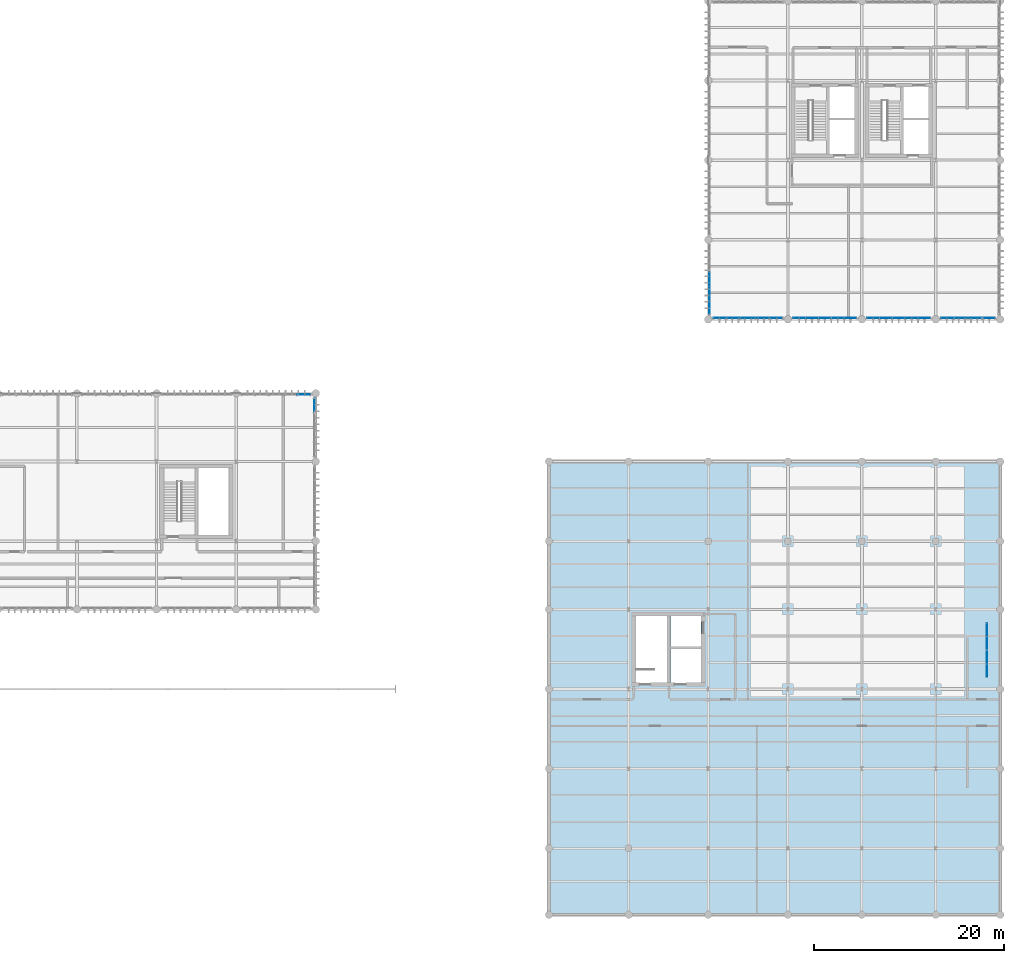
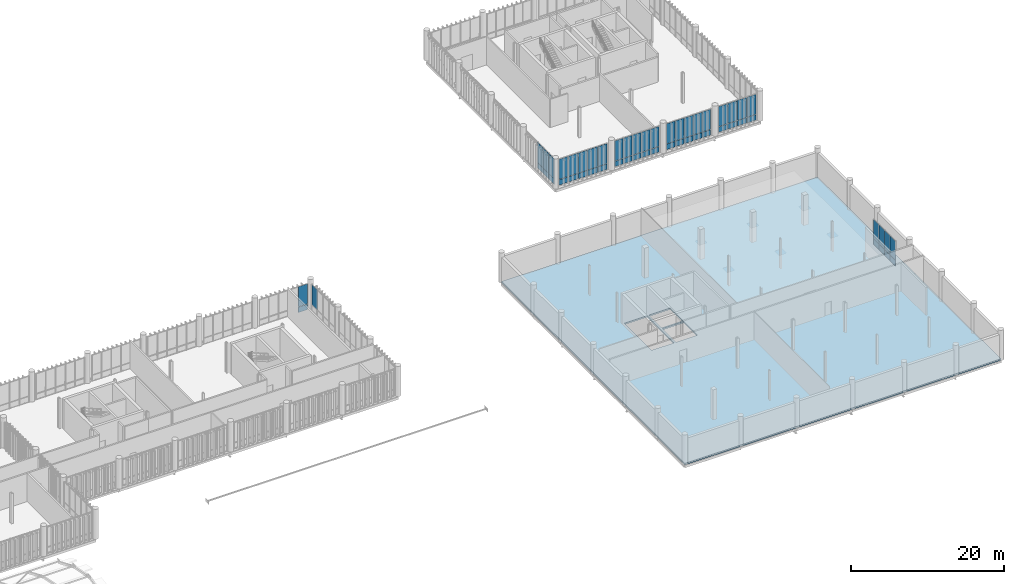
# One storey, part 72 of 94: 55 plates, 1 slab, 8 elements without a shape of their own.
"""IFC4 building model written with IfcOpenShell, lengths in metres."""

from ifc_helpers import new_model, si_unit, direction, frame, frame_2d, origin_with_axes, place, context, subcontext, project, spatial, polyline, rectangle, outline, extrude, material, layer, layer_set, type_object, element, aggregate, save


model = new_model("IFC4")

# Units and contexts
model_context = context("Model", 3, precision=1e-05, world=origin_with_axes(), true_north=direction((0.0, 1.0)))
body_context = subcontext(model_context, "Body", "Model", "MODEL_VIEW")
ifc_project = project(units=[si_unit("LENGTHUNIT", "METRE"), si_unit("AREAUNIT", "SQUARE_METRE"), si_unit("VOLUMEUNIT", "CUBIC_METRE"), si_unit("PLANEANGLEUNIT", "RADIAN"), si_unit("MASSUNIT", "GRAM", prefix="KILO"), si_unit("THERMODYNAMICTEMPERATUREUNIT", "KELVIN")], contexts=[model_context])

# Site, building, storey
site_placement = place(None, origin_with_axes())
site = spatial("IfcSite", under=ifc_project, at=site_placement, CompositionType="ELEMENT")
building_placement = place(site_placement, origin_with_axes())
building = spatial("IfcBuilding", under=site, at=building_placement, Name="Montbau Bow Law Courts", CompositionType="ELEMENT")
storey_placement = place(building_placement, frame((0.0, 0.0, 15.6), z_axis=(0.0, 0.0, 1.0), x_axis=(1.0, 0.0, 0.0)))
storey = spatial("IfcBuildingStorey", under=building, at=storey_placement, Name="L03", CompositionType="ELEMENT", Elevation=15.6)

# Curtain wall, plate
ifc_material_1 = material(Name="Thermally Broken Extruded Aluminium AA 6063-T6", Category="aluminium")
curtain_wall_type_1 = type_object("IfcCurtainWallType", Name="CW-CRM-01", PredefinedType="NOTDEFINED", material=ifc_material_1)
curtain_wall_1_placement = place(None, frame((89.315, 61.66, 15.6), z_axis=(0.0, 0.0, 1.0), x_axis=(1.0, 0.0, 0.0)))
curtain_wall_1 = element("IfcCurtainWall", 1, at=curtain_wall_1_placement, inside=storey, type_object=curtain_wall_type_1, Name="CW-L03-186:cw_0186", PredefinedType="NOTDEFINED")
ifc_material_2 = material(Name="Triple-Glazed Low-E Argon Insulating Glass Unit", Category="glass")
ifc_layer_1 = layer(ifc_material_2, 0.044, Name="Curtain Panel", Category="glass")
ifc_layer_set_1 = layer_set([ifc_layer_1], Name="Triple-Glazed Low-E Argon Insulating Glass Unit")
plate_type_1 = type_object("IfcPlateType", Name="PL-CWP-01", PredefinedType="CURTAIN_PANEL", material=ifc_layer_set_1)
plate_1_placement = place(None, frame((95.25, 61.66, 16.582), z_axis=(0.0, -1.0, 0.0), x_axis=(1.0, 0.0, 0.0)))
plate_1 = element("IfcPlate", 2, at=plate_1_placement, type_object=plate_type_1, Name="CW-L03-186-P05-2:cw_0186_P05_2", PredefinedType="CURTAIN_PANEL", context=body_context, shape_type="SweptSolid", body=[
    extrude(rectangle(XDim=1.359, YDim=3.176, at=frame_2d((0.6795, 1.588), x_axis=(1.0, 0.0))), frame((0.0, 0.0, -0.022), z_axis=(0.0, 0.0, 1.0), x_axis=(1.0, 0.0, 0.0)), (0.0, 0.0, 1.0), 0.044),
])

curtain_wall_2_placement = place(None, frame((97.06, 55.115, 15.6), z_axis=(0.0, 0.0, 1.0), x_axis=(1.0, 0.0, 0.0)))
curtain_wall_2 = element("IfcCurtainWall", 3, at=curtain_wall_2_placement, inside=storey, type_object=curtain_wall_type_1, Name="CW-L03-192:cw_0192", PredefinedType="NOTDEFINED")
plate_2_placement = place(None, frame((97.06, 59.781, 16.582), z_axis=(1.0, 0.0, 0.0), x_axis=(0.0, 1.0, 0.0)))
plate_2 = element("IfcPlate", 4, at=plate_2_placement, type_object=plate_type_1, Name="CW-L03-192-P04-2:cw_0192_P04_2", PredefinedType="CURTAIN_PANEL", context=body_context, shape_type="SweptSolid", body=[
    extrude(rectangle(XDim=1.427, YDim=3.176, at=frame_2d((0.7135, 1.588), x_axis=(1.0, 0.0))), frame((0.0, 0.0, -0.022), z_axis=(0.0, 0.0, 1.0), x_axis=(1.0, 0.0, 0.0)), (0.0, 0.0, 1.0), 0.044),
])
aggregate(curtain_wall_2, [plate_2])

# Curtain wall, plates
curtain_wall_type_2 = type_object("IfcCurtainWallType", Name="CW-SLT-01", PredefinedType="NOTDEFINED", material=ifc_material_1)
curtain_wall_3_placement = place(None, frame((139.115, 69.74, 15.6), z_axis=(0.0, 0.0, 1.0), x_axis=(1.0, 0.0, 0.0)))
curtain_wall_3 = element("IfcCurtainWall", 5, at=curtain_wall_3_placement, inside=storey, type_object=curtain_wall_type_2, Name="CW-L03-309:cw_0309", PredefinedType="NOTDEFINED")
plate_3_placement = place(None, frame((139.191, 69.74, 16.579), z_axis=(0.0, -1.0, 0.0), x_axis=(1.0, 0.0, 0.0)))
plate_3 = element("IfcPlate", 6, at=plate_3_placement, type_object=plate_type_1, Name="CW-L03-309-P01-2:cw_0309_P01_2", PredefinedType="CURTAIN_PANEL", context=body_context, shape_type="SweptSolid", body=[
    extrude(rectangle(XDim=1.358, YDim=3.185, at=frame_2d((0.679, 1.5925), x_axis=(1.0, 0.0))), frame((0.0, 0.0, -0.022), z_axis=(0.0, 0.0, 1.0), x_axis=(1.0, 0.0, 0.0)), (0.0, 0.0, 1.0), 0.044),
])
plate_4_placement = place(None, frame((140.629, 69.74, 16.579), z_axis=(0.0, -1.0, 0.0), x_axis=(1.0, 0.0, 0.0)))
plate_4 = element("IfcPlate", 7, at=plate_4_placement, type_object=plate_type_1, Name="CW-L03-309-P02-2:cw_0309_P02_2", PredefinedType="CURTAIN_PANEL", context=body_context, shape_type="SweptSolid", body=[
    extrude(rectangle(XDim=1.395, YDim=3.185, at=frame_2d((0.6975, 1.5925), x_axis=(1.0, 0.0))), frame((0.0, 0.0, -0.022), z_axis=(0.0, 0.0, 1.0), x_axis=(1.0, 0.0, 0.0)), (0.0, 0.0, 1.0), 0.044),
])
plate_5_placement = place(None, frame((142.102, 69.74, 16.579), z_axis=(0.0, -1.0, 0.0), x_axis=(1.0, 0.0, 0.0)))
plate_5 = element("IfcPlate", 8, at=plate_5_placement, type_object=plate_type_1, Name="CW-L03-309-P03-2:cw_0309_P03_2", PredefinedType="CURTAIN_PANEL", context=body_context, shape_type="SweptSolid", body=[
    extrude(rectangle(XDim=1.396, YDim=3.185, at=frame_2d((0.698, 1.5925), x_axis=(1.0, 0.0))), frame((0.0, 0.0, -0.022), z_axis=(0.0, 0.0, 1.0), x_axis=(1.0, 0.0, 0.0)), (0.0, 0.0, 1.0), 0.044),
])
plate_6_placement = place(None, frame((143.576, 69.74, 16.579), z_axis=(0.0, -1.0, 0.0), x_axis=(1.0, 0.0, 0.0)))
plate_6 = element("IfcPlate", 9, at=plate_6_placement, type_object=plate_type_1, Name="CW-L03-309-P04-2:cw_0309_P04_2", PredefinedType="CURTAIN_PANEL", context=body_context, shape_type="SweptSolid", body=[
    extrude(rectangle(XDim=1.396, YDim=3.185, at=frame_2d((0.698, 1.5925), x_axis=(1.0, 0.0))), frame((0.0, 0.0, -0.022), z_axis=(0.0, 0.0, 1.0), x_axis=(1.0, 0.0, 0.0)), (0.0, 0.0, 1.0), 0.044),
])
plate_7_placement = place(None, frame((145.05, 69.74, 16.579), z_axis=(0.0, -1.0, 0.0), x_axis=(1.0, 0.0, 0.0)))
plate_7 = element("IfcPlate", 10, at=plate_7_placement, type_object=plate_type_1, Name="CW-L03-309-P05-2:cw_0309_P05_2", PredefinedType="CURTAIN_PANEL", context=body_context, shape_type="SweptSolid", body=[
    extrude(rectangle(XDim=1.359, YDim=3.185, at=frame_2d((0.6795, 1.5925), x_axis=(1.0, 0.0))), frame((0.0, 0.0, -0.022), z_axis=(0.0, 0.0, 1.0), x_axis=(1.0, 0.0, 0.0)), (0.0, 0.0, 1.0), 0.044),
])

curtain_wall_4_placement = place(None, frame((147.515, 69.74, 15.6), z_axis=(0.0, 0.0, 1.0), x_axis=(1.0, 0.0, 0.0)))
curtain_wall_4 = element("IfcCurtainWall", 11, at=curtain_wall_4_placement, inside=storey, type_object=curtain_wall_type_2, Name="CW-L03-310:cw_0310", PredefinedType="NOTDEFINED")
plate_8_placement = place(None, frame((147.583, 69.74, 16.582), z_axis=(0.0, -1.0, 0.0), x_axis=(1.0, 0.0, 0.0)))
plate_8 = element("IfcPlate", 12, at=plate_8_placement, type_object=plate_type_1, Name="CW-L03-310-P01-2:cw_0310_P01_2", PredefinedType="CURTAIN_PANEL", context=body_context, shape_type="SweptSolid", body=[
    extrude(rectangle(XDim=1.252, YDim=3.176, at=frame_2d((0.626, 1.588), x_axis=(1.0, 0.0))), frame((0.0, 0.0, -0.022), z_axis=(0.0, 0.0, 1.0), x_axis=(1.0, 0.0, 0.0)), (0.0, 0.0, 1.0), 0.044),
])
plate_9_placement = place(None, frame((148.904, 69.74, 16.582), z_axis=(0.0, -1.0, 0.0), x_axis=(1.0, 0.0, 0.0)))
plate_9 = element("IfcPlate", 13, at=plate_9_placement, type_object=plate_type_1, Name="CW-L03-310-P02-2:cw_0310_P02_2", PredefinedType="CURTAIN_PANEL", context=body_context, shape_type="SweptSolid", body=[
    extrude(rectangle(XDim=1.285, YDim=3.176, at=frame_2d((0.6425, 1.588), x_axis=(1.0, 0.0))), frame((0.0, 0.0, -0.022), z_axis=(0.0, 0.0, 1.0), x_axis=(1.0, 0.0, 0.0)), (0.0, 0.0, 1.0), 0.044),
])
plate_10_placement = place(None, frame((150.258, 69.74, 16.582), z_axis=(0.0, -1.0, 0.0), x_axis=(1.0, 0.0, 0.0)))
plate_10 = element("IfcPlate", 14, at=plate_10_placement, type_object=plate_type_1, Name="CW-L03-310-P03-2:cw_0310_P03_2", PredefinedType="CURTAIN_PANEL", context=body_context, shape_type="SweptSolid", body=[
    extrude(rectangle(XDim=1.285, YDim=3.176, at=frame_2d((0.6425, 1.588), x_axis=(1.0, 0.0))), frame((0.0, 0.0, -0.022), z_axis=(0.0, 0.0, 1.0), x_axis=(1.0, 0.0, 0.0)), (0.0, 0.0, 1.0), 0.044),
])
plate_11_placement = place(None, frame((151.611, 69.74, 16.582), z_axis=(0.0, -1.0, 0.0), x_axis=(1.0, 0.0, 0.0)))
plate_11 = element("IfcPlate", 15, at=plate_11_placement, type_object=plate_type_1, Name="CW-L03-310-P04-2:cw_0310_P04_2", PredefinedType="CURTAIN_PANEL", context=body_context, shape_type="SweptSolid", body=[
    extrude(rectangle(XDim=1.286, YDim=3.176, at=frame_2d((0.643, 1.588), x_axis=(1.0, 0.0))), frame((0.0, 0.0, -0.022), z_axis=(0.0, 0.0, 1.0), x_axis=(1.0, 0.0, 0.0)), (0.0, 0.0, 1.0), 0.044),
])
plate_12_placement = place(None, frame((152.965, 69.74, 16.582), z_axis=(0.0, -1.0, 0.0), x_axis=(1.0, 0.0, 0.0)))
plate_12 = element("IfcPlate", 16, at=plate_12_placement, type_object=plate_type_1, Name="CW-L03-310-P05-2:cw_0310_P05_2", PredefinedType="CURTAIN_PANEL", context=body_context, shape_type="SweptSolid", body=[
    extrude(rectangle(XDim=1.254, YDim=3.176, at=frame_2d((0.627, 1.588), x_axis=(1.0, 0.0))), frame((0.0, 0.0, -0.022), z_axis=(0.0, 0.0, 1.0), x_axis=(1.0, 0.0, 0.0)), (0.0, 0.0, 1.0), 0.044),
])

curtain_wall_5_placement = place(None, frame((155.315, 69.74, 15.6), z_axis=(0.0, 0.0, 1.0), x_axis=(1.0, 0.0, 0.0)))
curtain_wall_5 = element("IfcCurtainWall", 17, at=curtain_wall_5_placement, inside=storey, type_object=curtain_wall_type_2, Name="CW-L03-311:cw_0311", PredefinedType="NOTDEFINED")
plate_13_placement = place(None, frame((155.377, 69.74, 16.579), z_axis=(0.0, -1.0, 0.0), x_axis=(1.0, 0.0, 0.0)))
plate_13 = element("IfcPlate", 18, at=plate_13_placement, type_object=plate_type_1, Name="CW-L03-311-P01-2:cw_0311_P01_2", PredefinedType="CURTAIN_PANEL", context=body_context, shape_type="SweptSolid", body=[
    extrude(rectangle(XDim=1.26, YDim=3.185, at=frame_2d((0.63, 1.5925), x_axis=(1.0, 0.0))), frame((0.0, 0.0, -0.022), z_axis=(0.0, 0.0, 1.0), x_axis=(1.0, 0.0, 0.0)), (0.0, 0.0, 1.0), 0.044),
])
plate_14_placement = place(None, frame((156.701, 69.74, 16.579), z_axis=(0.0, -1.0, 0.0), x_axis=(1.0, 0.0, 0.0)))
plate_14 = element("IfcPlate", 19, at=plate_14_placement, type_object=plate_type_1, Name="CW-L03-311-P02-2:cw_0311_P02_2", PredefinedType="CURTAIN_PANEL", context=body_context, shape_type="SweptSolid", body=[
    extrude(rectangle(XDim=1.29, YDim=3.185, at=frame_2d((0.645, 1.5925), x_axis=(1.0, 0.0))), frame((0.0, 0.0, -0.022), z_axis=(0.0, 0.0, 1.0), x_axis=(1.0, 0.0, 0.0)), (0.0, 0.0, 1.0), 0.044),
])
plate_15_placement = place(None, frame((158.055, 69.74, 16.579), z_axis=(0.0, -1.0, 0.0), x_axis=(1.0, 0.0, 0.0)))
plate_15 = element("IfcPlate", 20, at=plate_15_placement, type_object=plate_type_1, Name="CW-L03-311-P03-2:cw_0311_P03_2", PredefinedType="CURTAIN_PANEL", context=body_context, shape_type="SweptSolid", body=[
    extrude(rectangle(XDim=1.29, YDim=3.185, at=frame_2d((0.645, 1.5925), x_axis=(1.0, 0.0))), frame((0.0, 0.0, -0.022), z_axis=(0.0, 0.0, 1.0), x_axis=(1.0, 0.0, 0.0)), (0.0, 0.0, 1.0), 0.044),
])
plate_16_placement = place(None, frame((159.409, 69.74, 16.579), z_axis=(0.0, -1.0, 0.0), x_axis=(1.0, 0.0, 0.0)))
plate_16 = element("IfcPlate", 21, at=plate_16_placement, type_object=plate_type_1, Name="CW-L03-311-P04-2:cw_0311_P04_2", PredefinedType="CURTAIN_PANEL", context=body_context, shape_type="SweptSolid", body=[
    extrude(rectangle(XDim=1.29, YDim=3.185, at=frame_2d((0.645, 1.5925), x_axis=(1.0, 0.0))), frame((0.0, 0.0, -0.022), z_axis=(0.0, 0.0, 1.0), x_axis=(1.0, 0.0, 0.0)), (0.0, 0.0, 1.0), 0.044),
])
plate_17_placement = place(None, frame((160.763, 69.74, 16.579), z_axis=(0.0, -1.0, 0.0), x_axis=(1.0, 0.0, 0.0)))
plate_17 = element("IfcPlate", 22, at=plate_17_placement, type_object=plate_type_1, Name="CW-L03-311-P05-2:cw_0311_P05_2", PredefinedType="CURTAIN_PANEL", context=body_context, shape_type="SweptSolid", body=[
    extrude(rectangle(XDim=1.26, YDim=3.185, at=frame_2d((0.63, 1.5925), x_axis=(1.0, 0.0))), frame((0.0, 0.0, -0.022), z_axis=(0.0, 0.0, 1.0), x_axis=(1.0, 0.0, 0.0)), (0.0, 0.0, 1.0), 0.044),
])

curtain_wall_6_placement = place(None, frame((163.115, 69.74, 15.6), z_axis=(0.0, 0.0, 1.0), x_axis=(1.0, 0.0, 0.0)))
curtain_wall_6 = element("IfcCurtainWall", 23, at=curtain_wall_6_placement, inside=storey, type_object=curtain_wall_type_2, Name="CW-L03-312:cw_0312", PredefinedType="NOTDEFINED")
plate_18_placement = place(None, frame((163.191, 69.74, 16.582), z_axis=(0.0, -1.0, 0.0), x_axis=(1.0, 0.0, 0.0)))
plate_18 = element("IfcPlate", 24, at=plate_18_placement, type_object=plate_type_1, Name="CW-L03-312-P01-2:cw_0312_P01_2", PredefinedType="CURTAIN_PANEL", context=body_context, shape_type="SweptSolid", body=[
    extrude(rectangle(XDim=1.326, YDim=3.176, at=frame_2d((0.663, 1.588), x_axis=(1.0, 0.0))), frame((0.0, 0.0, -0.022), z_axis=(0.0, 0.0, 1.0), x_axis=(1.0, 0.0, 0.0)), (0.0, 0.0, 1.0), 0.044),
])
plate_19_placement = place(None, frame((164.597, 69.74, 16.582), z_axis=(0.0, -1.0, 0.0), x_axis=(1.0, 0.0, 0.0)))
plate_19 = element("IfcPlate", 25, at=plate_19_placement, type_object=plate_type_1, Name="CW-L03-312-P02-2:cw_0312_P02_2", PredefinedType="CURTAIN_PANEL", context=body_context, shape_type="SweptSolid", body=[
    extrude(rectangle(XDim=1.363, YDim=3.176, at=frame_2d((0.6815, 1.588), x_axis=(1.0, 0.0))), frame((0.0, 0.0, -0.022), z_axis=(0.0, 0.0, 1.0), x_axis=(1.0, 0.0, 0.0)), (0.0, 0.0, 1.0), 0.044),
])
plate_20_placement = place(None, frame((166.039, 69.74, 16.582), z_axis=(0.0, -1.0, 0.0), x_axis=(1.0, 0.0, 0.0)))
plate_20 = element("IfcPlate", 26, at=plate_20_placement, type_object=plate_type_1, Name="CW-L03-312-P03-2:cw_0312_P03_2", PredefinedType="CURTAIN_PANEL", context=body_context, shape_type="SweptSolid", body=[
    extrude(rectangle(XDim=1.364, YDim=3.176, at=frame_2d((0.682, 1.588), x_axis=(1.0, 0.0))), frame((0.0, 0.0, -0.022), z_axis=(0.0, 0.0, 1.0), x_axis=(1.0, 0.0, 0.0)), (0.0, 0.0, 1.0), 0.044),
])
plate_21_placement = place(None, frame((167.481, 69.74, 16.582), z_axis=(0.0, -1.0, 0.0), x_axis=(1.0, 0.0, 0.0)))
plate_21 = element("IfcPlate", 27, at=plate_21_placement, type_object=plate_type_1, Name="CW-L03-312-P04-2:cw_0312_P04_2", PredefinedType="CURTAIN_PANEL", context=body_context, shape_type="SweptSolid", body=[
    extrude(rectangle(XDim=1.327, YDim=3.176, at=frame_2d((0.6635, 1.588), x_axis=(1.0, 0.0))), frame((0.0, 0.0, -0.022), z_axis=(0.0, 0.0, 1.0), x_axis=(1.0, 0.0, 0.0)), (0.0, 0.0, 1.0), 0.044),
])

curtain_wall_7_placement = place(None, frame((138.74, 70.115, 15.6), z_axis=(0.0, 0.0, 1.0), x_axis=(1.0, 0.0, 0.0)))
curtain_wall_7 = element("IfcCurtainWall", 28, at=curtain_wall_7_placement, inside=storey, type_object=curtain_wall_type_2, Name="CW-L03-317:cw_0317", PredefinedType="NOTDEFINED")
plate_22_placement = place(None, frame((138.74, 70.177, 16.579), z_axis=(1.0, 0.0, 0.0), x_axis=(0.0, 1.0, 0.0)))
plate_22 = element("IfcPlate", 29, at=plate_22_placement, type_object=plate_type_1, Name="CW-L03-317-P01-2:cw_0317_P01_2", PredefinedType="CURTAIN_PANEL", context=body_context, shape_type="SweptSolid", body=[
    extrude(rectangle(XDim=1.38, YDim=3.185, at=frame_2d((0.69, 1.5925), x_axis=(1.0, 0.0))), frame((0.0, 0.0, -0.022), z_axis=(0.0, 0.0, 1.0), x_axis=(1.0, 0.0, 0.0)), (0.0, 0.0, 1.0), 0.044),
])
plate_23_placement = place(None, frame((138.74, 71.621, 16.579), z_axis=(1.0, 0.0, 0.0), x_axis=(0.0, 1.0, 0.0)))
plate_23 = element("IfcPlate", 30, at=plate_23_placement, type_object=plate_type_1, Name="CW-L03-317-P02-2:cw_0317_P02_2", PredefinedType="CURTAIN_PANEL", context=body_context, shape_type="SweptSolid", body=[
    extrude(rectangle(XDim=1.41, YDim=3.185, at=frame_2d((0.705, 1.5925), x_axis=(1.0, 0.0))), frame((0.0, 0.0, -0.022), z_axis=(0.0, 0.0, 1.0), x_axis=(1.0, 0.0, 0.0)), (0.0, 0.0, 1.0), 0.044),
])
plate_24_placement = place(None, frame((138.74, 73.095, 16.579), z_axis=(1.0, 0.0, 0.0), x_axis=(0.0, 1.0, 0.0)))
plate_24 = element("IfcPlate", 31, at=plate_24_placement, type_object=plate_type_1, Name="CW-L03-317-P03-2:cw_0317_P03_2", PredefinedType="CURTAIN_PANEL", context=body_context, shape_type="SweptSolid", body=[
    extrude(rectangle(XDim=1.41, YDim=3.185, at=frame_2d((0.705, 1.5925), x_axis=(1.0, 0.0))), frame((0.0, 0.0, -0.022), z_axis=(0.0, 0.0, 1.0), x_axis=(1.0, 0.0, 0.0)), (0.0, 0.0, 1.0), 0.044),
])

curtain_wall_type_3 = type_object("IfcCurtainWallType", Name="CW-COR-01", PredefinedType="NOTDEFINED", material=ifc_material_1)
curtain_wall_8_placement = place(None, frame((168.0, 31.8, 15.6), z_axis=(0.0, 0.0, 1.0), x_axis=(1.0, 0.0, 0.0)))
curtain_wall_8 = element("IfcCurtainWall", 32, at=curtain_wall_8_placement, inside=storey, type_object=curtain_wall_type_3, Name="CW-L03-414:cw_0414", PredefinedType="NOTDEFINED")
plate_25_placement = place(None, frame((168.0, 31.876, 16.582), z_axis=(1.0, 0.0, 0.0), x_axis=(0.0, 1.0, 0.0)))
plate_25 = element("IfcPlate", 33, at=plate_25_placement, type_object=plate_type_1, Name="CW-L03-414-P01-2:cw_0414_P01_2", PredefinedType="CURTAIN_PANEL", context=body_context, shape_type="SweptSolid", body=[
    extrude(rectangle(XDim=1.334, YDim=3.056, at=frame_2d((0.667, 1.528), x_axis=(1.0, 0.0))), frame((0.0, 0.0, -0.022), z_axis=(0.0, 0.0, 1.0), x_axis=(1.0, 0.0, 0.0)), (0.0, 0.0, 1.0), 0.044),
])
plate_26_placement = place(None, frame((168.0, 33.29, 16.582), z_axis=(1.0, 0.0, 0.0), x_axis=(0.0, 1.0, 0.0)))
plate_26 = element("IfcPlate", 34, at=plate_26_placement, type_object=plate_type_1, Name="CW-L03-414-P02-2:cw_0414_P02_2", PredefinedType="CURTAIN_PANEL", context=body_context, shape_type="SweptSolid", body=[
    extrude(rectangle(XDim=1.371, YDim=3.056, at=frame_2d((0.6855, 1.528), x_axis=(1.0, 0.0))), frame((0.0, 0.0, -0.022), z_axis=(0.0, 0.0, 1.0), x_axis=(1.0, 0.0, 0.0)), (0.0, 0.0, 1.0), 0.044),
])
plate_27_placement = place(None, frame((168.0, 34.739, 16.582), z_axis=(1.0, 0.0, 0.0), x_axis=(0.0, 1.0, 0.0)))
plate_27 = element("IfcPlate", 35, at=plate_27_placement, type_object=plate_type_1, Name="CW-L03-414-P03-2:cw_0414_P03_2", PredefinedType="CURTAIN_PANEL", context=body_context, shape_type="SweptSolid", body=[
    extrude(rectangle(XDim=1.372, YDim=3.056, at=frame_2d((0.686, 1.528), x_axis=(1.0, 0.0))), frame((0.0, 0.0, -0.022), z_axis=(0.0, 0.0, 1.0), x_axis=(1.0, 0.0, 0.0)), (0.0, 0.0, 1.0), 0.044),
])
plate_28_placement = place(None, frame((168.0, 36.189, 16.582), z_axis=(1.0, 0.0, 0.0), x_axis=(0.0, 1.0, 0.0)))
plate_28 = element("IfcPlate", 36, at=plate_28_placement, type_object=plate_type_1, Name="CW-L03-414-P04-2:cw_0414_P04_2", PredefinedType="CURTAIN_PANEL", context=body_context, shape_type="SweptSolid", body=[
    extrude(rectangle(XDim=1.335, YDim=3.056, at=frame_2d((0.6675, 1.528), x_axis=(1.0, 0.0))), frame((0.0, 0.0, -0.022), z_axis=(0.0, 0.0, 1.0), x_axis=(1.0, 0.0, 0.0)), (0.0, 0.0, 1.0), 0.044),
])

# Plate
ifc_material_3 = material(Name="Insulated Ceramic-Frit Spandrel Glazing Unit", Category="glass")
ifc_layer_2 = layer(ifc_material_3, 0.056, Name="Curtain Panel", Category="glass")
ifc_layer_set_2 = layer_set([ifc_layer_2], Name="Insulated Ceramic-Frit Spandrel Glazing Unit")
plate_type_2 = type_object("IfcPlateType", Name="PL-CWP-02", PredefinedType="CURTAIN_PANEL", material=ifc_layer_set_2)
plate_29_placement = place(None, frame((95.25, 61.66, 15.662), z_axis=(0.0, -1.0, 0.0), x_axis=(1.0, 0.0, 0.0)))
plate_29 = element("IfcPlate", 37, at=plate_29_placement, type_object=plate_type_2, Name="CW-L03-186-P05-1:cw_0186_P05_1", PredefinedType="CURTAIN_PANEL", context=body_context, shape_type="SweptSolid", body=[
    extrude(rectangle(XDim=1.359, YDim=0.856, at=frame_2d((0.6795, 0.428), x_axis=(1.0, 0.0))), frame((0.0, 0.0, -0.028), z_axis=(0.0, 0.0, 1.0), x_axis=(1.0, 0.0, 0.0)), (0.0, 0.0, 1.0), 0.056),
])

aggregate(curtain_wall_1, [plate_29, plate_1])

plate_30_placement = place(None, frame((139.191, 69.74, 15.657), z_axis=(0.0, -1.0, 0.0), x_axis=(1.0, 0.0, 0.0)))
plate_30 = element("IfcPlate", 38, at=plate_30_placement, type_object=plate_type_2, Name="CW-L03-309-P01-1:cw_0309_P01_1", PredefinedType="CURTAIN_PANEL", context=body_context, shape_type="SweptSolid", body=[
    extrude(rectangle(XDim=1.358, YDim=0.864, at=frame_2d((0.679, 0.432), x_axis=(1.0, 0.0))), frame((0.0, 0.0, -0.028), z_axis=(0.0, 0.0, 1.0), x_axis=(1.0, 0.0, 0.0)), (0.0, 0.0, 1.0), 0.056),
])

plate_31_placement = place(None, frame((140.629, 69.74, 15.657), z_axis=(0.0, -1.0, 0.0), x_axis=(1.0, 0.0, 0.0)))
plate_31 = element("IfcPlate", 39, at=plate_31_placement, type_object=plate_type_2, Name="CW-L03-309-P02-1:cw_0309_P02_1", PredefinedType="CURTAIN_PANEL", context=body_context, shape_type="SweptSolid", body=[
    extrude(rectangle(XDim=1.395, YDim=0.864, at=frame_2d((0.6975, 0.432), x_axis=(1.0, 0.0))), frame((0.0, 0.0, -0.028), z_axis=(0.0, 0.0, 1.0), x_axis=(1.0, 0.0, 0.0)), (0.0, 0.0, 1.0), 0.056),
])

plate_32_placement = place(None, frame((142.102, 69.74, 15.657), z_axis=(0.0, -1.0, 0.0), x_axis=(1.0, 0.0, 0.0)))
plate_32 = element("IfcPlate", 40, at=plate_32_placement, type_object=plate_type_2, Name="CW-L03-309-P03-1:cw_0309_P03_1", PredefinedType="CURTAIN_PANEL", context=body_context, shape_type="SweptSolid", body=[
    extrude(rectangle(XDim=1.396, YDim=0.864, at=frame_2d((0.698, 0.432), x_axis=(1.0, 0.0))), frame((0.0, 0.0, -0.028), z_axis=(0.0, 0.0, 1.0), x_axis=(1.0, 0.0, 0.0)), (0.0, 0.0, 1.0), 0.056),
])

plate_33_placement = place(None, frame((143.576, 69.74, 15.657), z_axis=(0.0, -1.0, 0.0), x_axis=(1.0, 0.0, 0.0)))
plate_33 = element("IfcPlate", 41, at=plate_33_placement, type_object=plate_type_2, Name="CW-L03-309-P04-1:cw_0309_P04_1", PredefinedType="CURTAIN_PANEL", context=body_context, shape_type="SweptSolid", body=[
    extrude(rectangle(XDim=1.396, YDim=0.864, at=frame_2d((0.698, 0.432), x_axis=(1.0, 0.0))), frame((0.0, 0.0, -0.028), z_axis=(0.0, 0.0, 1.0), x_axis=(1.0, 0.0, 0.0)), (0.0, 0.0, 1.0), 0.056),
])

plate_34_placement = place(None, frame((145.05, 69.74, 15.657), z_axis=(0.0, -1.0, 0.0), x_axis=(1.0, 0.0, 0.0)))
plate_34 = element("IfcPlate", 42, at=plate_34_placement, type_object=plate_type_2, Name="CW-L03-309-P05-1:cw_0309_P05_1", PredefinedType="CURTAIN_PANEL", context=body_context, shape_type="SweptSolid", body=[
    extrude(rectangle(XDim=1.359, YDim=0.864, at=frame_2d((0.6795, 0.432), x_axis=(1.0, 0.0))), frame((0.0, 0.0, -0.028), z_axis=(0.0, 0.0, 1.0), x_axis=(1.0, 0.0, 0.0)), (0.0, 0.0, 1.0), 0.056),
])

aggregate(curtain_wall_3, [plate_30, plate_3, plate_31, plate_4, plate_32, plate_5, plate_33, plate_6, plate_34, plate_7])

plate_35_placement = place(None, frame((147.583, 69.74, 15.662), z_axis=(0.0, -1.0, 0.0), x_axis=(1.0, 0.0, 0.0)))
plate_35 = element("IfcPlate", 43, at=plate_35_placement, type_object=plate_type_2, Name="CW-L03-310-P01-1:cw_0310_P01_1", PredefinedType="CURTAIN_PANEL", context=body_context, shape_type="SweptSolid", body=[
    extrude(rectangle(XDim=1.252, YDim=0.856, at=frame_2d((0.626, 0.428), x_axis=(1.0, 0.0))), frame((0.0, 0.0, -0.028), z_axis=(0.0, 0.0, 1.0), x_axis=(1.0, 0.0, 0.0)), (0.0, 0.0, 1.0), 0.056),
])

plate_36_placement = place(None, frame((148.904, 69.74, 15.662), z_axis=(0.0, -1.0, 0.0), x_axis=(1.0, 0.0, 0.0)))
plate_36 = element("IfcPlate", 44, at=plate_36_placement, type_object=plate_type_2, Name="CW-L03-310-P02-1:cw_0310_P02_1", PredefinedType="CURTAIN_PANEL", context=body_context, shape_type="SweptSolid", body=[
    extrude(rectangle(XDim=1.285, YDim=0.856, at=frame_2d((0.6425, 0.428), x_axis=(1.0, 0.0))), frame((0.0, 0.0, -0.028), z_axis=(0.0, 0.0, 1.0), x_axis=(1.0, 0.0, 0.0)), (0.0, 0.0, 1.0), 0.056),
])

plate_37_placement = place(None, frame((150.258, 69.74, 15.662), z_axis=(0.0, -1.0, 0.0), x_axis=(1.0, 0.0, 0.0)))
plate_37 = element("IfcPlate", 45, at=plate_37_placement, type_object=plate_type_2, Name="CW-L03-310-P03-1:cw_0310_P03_1", PredefinedType="CURTAIN_PANEL", context=body_context, shape_type="SweptSolid", body=[
    extrude(rectangle(XDim=1.285, YDim=0.856, at=frame_2d((0.6425, 0.428), x_axis=(1.0, 0.0))), frame((0.0, 0.0, -0.028), z_axis=(0.0, 0.0, 1.0), x_axis=(1.0, 0.0, 0.0)), (0.0, 0.0, 1.0), 0.056),
])

plate_38_placement = place(None, frame((151.611, 69.74, 15.662), z_axis=(0.0, -1.0, 0.0), x_axis=(1.0, 0.0, 0.0)))
plate_38 = element("IfcPlate", 46, at=plate_38_placement, type_object=plate_type_2, Name="CW-L03-310-P04-1:cw_0310_P04_1", PredefinedType="CURTAIN_PANEL", context=body_context, shape_type="SweptSolid", body=[
    extrude(rectangle(XDim=1.286, YDim=0.856, at=frame_2d((0.643, 0.428), x_axis=(1.0, 0.0))), frame((0.0, 0.0, -0.028), z_axis=(0.0, 0.0, 1.0), x_axis=(1.0, 0.0, 0.0)), (0.0, 0.0, 1.0), 0.056),
])

plate_39_placement = place(None, frame((152.965, 69.74, 15.662), z_axis=(0.0, -1.0, 0.0), x_axis=(1.0, 0.0, 0.0)))
plate_39 = element("IfcPlate", 47, at=plate_39_placement, type_object=plate_type_2, Name="CW-L03-310-P05-1:cw_0310_P05_1", PredefinedType="CURTAIN_PANEL", context=body_context, shape_type="SweptSolid", body=[
    extrude(rectangle(XDim=1.254, YDim=0.856, at=frame_2d((0.627, 0.428), x_axis=(1.0, 0.0))), frame((0.0, 0.0, -0.028), z_axis=(0.0, 0.0, 1.0), x_axis=(1.0, 0.0, 0.0)), (0.0, 0.0, 1.0), 0.056),
])

aggregate(curtain_wall_4, [plate_35, plate_8, plate_36, plate_9, plate_37, plate_10, plate_38, plate_11, plate_39, plate_12])

plate_40_placement = place(None, frame((155.377, 69.74, 15.657), z_axis=(0.0, -1.0, 0.0), x_axis=(1.0, 0.0, 0.0)))
plate_40 = element("IfcPlate", 48, at=plate_40_placement, type_object=plate_type_2, Name="CW-L03-311-P01-1:cw_0311_P01_1", PredefinedType="CURTAIN_PANEL", context=body_context, shape_type="SweptSolid", body=[
    extrude(rectangle(XDim=1.26, YDim=0.864, at=frame_2d((0.63, 0.432), x_axis=(1.0, 0.0))), frame((0.0, 0.0, -0.028), z_axis=(0.0, 0.0, 1.0), x_axis=(1.0, 0.0, 0.0)), (0.0, 0.0, 1.0), 0.056),
])

plate_41_placement = place(None, frame((156.701, 69.74, 15.657), z_axis=(0.0, -1.0, 0.0), x_axis=(1.0, 0.0, 0.0)))
plate_41 = element("IfcPlate", 49, at=plate_41_placement, type_object=plate_type_2, Name="CW-L03-311-P02-1:cw_0311_P02_1", PredefinedType="CURTAIN_PANEL", context=body_context, shape_type="SweptSolid", body=[
    extrude(rectangle(XDim=1.29, YDim=0.864, at=frame_2d((0.645, 0.432), x_axis=(1.0, 0.0))), frame((0.0, 0.0, -0.028), z_axis=(0.0, 0.0, 1.0), x_axis=(1.0, 0.0, 0.0)), (0.0, 0.0, 1.0), 0.056),
])

plate_42_placement = place(None, frame((158.055, 69.74, 15.657), z_axis=(0.0, -1.0, 0.0), x_axis=(1.0, 0.0, 0.0)))
plate_42 = element("IfcPlate", 50, at=plate_42_placement, type_object=plate_type_2, Name="CW-L03-311-P03-1:cw_0311_P03_1", PredefinedType="CURTAIN_PANEL", context=body_context, shape_type="SweptSolid", body=[
    extrude(rectangle(XDim=1.29, YDim=0.864, at=frame_2d((0.645, 0.432), x_axis=(1.0, 0.0))), frame((0.0, 0.0, -0.028), z_axis=(0.0, 0.0, 1.0), x_axis=(1.0, 0.0, 0.0)), (0.0, 0.0, 1.0), 0.056),
])

plate_43_placement = place(None, frame((159.409, 69.74, 15.657), z_axis=(0.0, -1.0, 0.0), x_axis=(1.0, 0.0, 0.0)))
plate_43 = element("IfcPlate", 51, at=plate_43_placement, type_object=plate_type_2, Name="CW-L03-311-P04-1:cw_0311_P04_1", PredefinedType="CURTAIN_PANEL", context=body_context, shape_type="SweptSolid", body=[
    extrude(rectangle(XDim=1.29, YDim=0.864, at=frame_2d((0.645, 0.432), x_axis=(1.0, 0.0))), frame((0.0, 0.0, -0.028), z_axis=(0.0, 0.0, 1.0), x_axis=(1.0, 0.0, 0.0)), (0.0, 0.0, 1.0), 0.056),
])

plate_44_placement = place(None, frame((160.763, 69.74, 15.657), z_axis=(0.0, -1.0, 0.0), x_axis=(1.0, 0.0, 0.0)))
plate_44 = element("IfcPlate", 52, at=plate_44_placement, type_object=plate_type_2, Name="CW-L03-311-P05-1:cw_0311_P05_1", PredefinedType="CURTAIN_PANEL", context=body_context, shape_type="SweptSolid", body=[
    extrude(rectangle(XDim=1.26, YDim=0.864, at=frame_2d((0.63, 0.432), x_axis=(1.0, 0.0))), frame((0.0, 0.0, -0.028), z_axis=(0.0, 0.0, 1.0), x_axis=(1.0, 0.0, 0.0)), (0.0, 0.0, 1.0), 0.056),
])

aggregate(curtain_wall_5, [plate_40, plate_13, plate_41, plate_14, plate_42, plate_15, plate_43, plate_16, plate_44, plate_17])

plate_45_placement = place(None, frame((163.191, 69.74, 15.662), z_axis=(0.0, -1.0, 0.0), x_axis=(1.0, 0.0, 0.0)))
plate_45 = element("IfcPlate", 53, at=plate_45_placement, type_object=plate_type_2, Name="CW-L03-312-P01-1:cw_0312_P01_1", PredefinedType="CURTAIN_PANEL", context=body_context, shape_type="SweptSolid", body=[
    extrude(rectangle(XDim=1.326, YDim=0.856, at=frame_2d((0.663, 0.428), x_axis=(1.0, 0.0))), frame((0.0, 0.0, -0.028), z_axis=(0.0, 0.0, 1.0), x_axis=(1.0, 0.0, 0.0)), (0.0, 0.0, 1.0), 0.056),
])

plate_46_placement = place(None, frame((164.597, 69.74, 15.662), z_axis=(0.0, -1.0, 0.0), x_axis=(1.0, 0.0, 0.0)))
plate_46 = element("IfcPlate", 54, at=plate_46_placement, type_object=plate_type_2, Name="CW-L03-312-P02-1:cw_0312_P02_1", PredefinedType="CURTAIN_PANEL", context=body_context, shape_type="SweptSolid", body=[
    extrude(rectangle(XDim=1.363, YDim=0.856, at=frame_2d((0.6815, 0.428), x_axis=(1.0, 0.0))), frame((0.0, 0.0, -0.028), z_axis=(0.0, 0.0, 1.0), x_axis=(1.0, 0.0, 0.0)), (0.0, 0.0, 1.0), 0.056),
])

plate_47_placement = place(None, frame((166.039, 69.74, 15.662), z_axis=(0.0, -1.0, 0.0), x_axis=(1.0, 0.0, 0.0)))
plate_47 = element("IfcPlate", 55, at=plate_47_placement, type_object=plate_type_2, Name="CW-L03-312-P03-1:cw_0312_P03_1", PredefinedType="CURTAIN_PANEL", context=body_context, shape_type="SweptSolid", body=[
    extrude(rectangle(XDim=1.364, YDim=0.856, at=frame_2d((0.682, 0.428), x_axis=(1.0, 0.0))), frame((0.0, 0.0, -0.028), z_axis=(0.0, 0.0, 1.0), x_axis=(1.0, 0.0, 0.0)), (0.0, 0.0, 1.0), 0.056),
])

plate_48_placement = place(None, frame((167.481, 69.74, 15.662), z_axis=(0.0, -1.0, 0.0), x_axis=(1.0, 0.0, 0.0)))
plate_48 = element("IfcPlate", 56, at=plate_48_placement, type_object=plate_type_2, Name="CW-L03-312-P04-1:cw_0312_P04_1", PredefinedType="CURTAIN_PANEL", context=body_context, shape_type="SweptSolid", body=[
    extrude(rectangle(XDim=1.327, YDim=0.856, at=frame_2d((0.6635, 0.428), x_axis=(1.0, 0.0))), frame((0.0, 0.0, -0.028), z_axis=(0.0, 0.0, 1.0), x_axis=(1.0, 0.0, 0.0)), (0.0, 0.0, 1.0), 0.056),
])

aggregate(curtain_wall_6, [plate_45, plate_18, plate_46, plate_19, plate_47, plate_20, plate_48, plate_21])

plate_49_placement = place(None, frame((138.74, 70.177, 15.657), z_axis=(1.0, 0.0, 0.0), x_axis=(0.0, 1.0, 0.0)))
plate_49 = element("IfcPlate", 57, at=plate_49_placement, type_object=plate_type_2, Name="CW-L03-317-P01-1:cw_0317_P01_1", PredefinedType="CURTAIN_PANEL", context=body_context, shape_type="SweptSolid", body=[
    extrude(rectangle(XDim=1.38, YDim=0.864, at=frame_2d((0.69, 0.432), x_axis=(1.0, 0.0))), frame((0.0, 0.0, -0.028), z_axis=(0.0, 0.0, 1.0), x_axis=(1.0, 0.0, 0.0)), (0.0, 0.0, 1.0), 0.056),
])

plate_50_placement = place(None, frame((138.74, 71.621, 15.657), z_axis=(1.0, 0.0, 0.0), x_axis=(0.0, 1.0, 0.0)))
plate_50 = element("IfcPlate", 58, at=plate_50_placement, type_object=plate_type_2, Name="CW-L03-317-P02-1:cw_0317_P02_1", PredefinedType="CURTAIN_PANEL", context=body_context, shape_type="SweptSolid", body=[
    extrude(rectangle(XDim=1.41, YDim=0.864, at=frame_2d((0.705, 0.432), x_axis=(1.0, 0.0))), frame((0.0, 0.0, -0.028), z_axis=(0.0, 0.0, 1.0), x_axis=(1.0, 0.0, 0.0)), (0.0, 0.0, 1.0), 0.056),
])

plate_51_placement = place(None, frame((138.74, 73.095, 15.657), z_axis=(1.0, 0.0, 0.0), x_axis=(0.0, 1.0, 0.0)))
plate_51 = element("IfcPlate", 59, at=plate_51_placement, type_object=plate_type_2, Name="CW-L03-317-P03-1:cw_0317_P03_1", PredefinedType="CURTAIN_PANEL", context=body_context, shape_type="SweptSolid", body=[
    extrude(rectangle(XDim=1.41, YDim=0.864, at=frame_2d((0.705, 0.432), x_axis=(1.0, 0.0))), frame((0.0, 0.0, -0.028), z_axis=(0.0, 0.0, 1.0), x_axis=(1.0, 0.0, 0.0)), (0.0, 0.0, 1.0), 0.056),
])

aggregate(curtain_wall_7, [plate_49, plate_22, plate_50, plate_23, plate_51, plate_24])

plate_52_placement = place(None, frame((168.0, 31.876, 15.662), z_axis=(1.0, 0.0, 0.0), x_axis=(0.0, 1.0, 0.0)))
plate_52 = element("IfcPlate", 60, at=plate_52_placement, type_object=plate_type_2, Name="CW-L03-414-P01-1:cw_0414_P01_1", PredefinedType="CURTAIN_PANEL", context=body_context, shape_type="SweptSolid", body=[
    extrude(rectangle(XDim=1.334, YDim=0.856, at=frame_2d((0.667, 0.428), x_axis=(1.0, 0.0))), frame((0.0, 0.0, -0.028), z_axis=(0.0, 0.0, 1.0), x_axis=(1.0, 0.0, 0.0)), (0.0, 0.0, 1.0), 0.056),
])

plate_53_placement = place(None, frame((168.0, 33.29, 15.662), z_axis=(1.0, 0.0, 0.0), x_axis=(0.0, 1.0, 0.0)))
plate_53 = element("IfcPlate", 61, at=plate_53_placement, type_object=plate_type_2, Name="CW-L03-414-P02-1:cw_0414_P02_1", PredefinedType="CURTAIN_PANEL", context=body_context, shape_type="SweptSolid", body=[
    extrude(rectangle(XDim=1.371, YDim=0.856, at=frame_2d((0.6855, 0.428), x_axis=(1.0, 0.0))), frame((0.0, 0.0, -0.028), z_axis=(0.0, 0.0, 1.0), x_axis=(1.0, 0.0, 0.0)), (0.0, 0.0, 1.0), 0.056),
])

plate_54_placement = place(None, frame((168.0, 34.739, 15.662), z_axis=(1.0, 0.0, 0.0), x_axis=(0.0, 1.0, 0.0)))
plate_54 = element("IfcPlate", 62, at=plate_54_placement, type_object=plate_type_2, Name="CW-L03-414-P03-1:cw_0414_P03_1", PredefinedType="CURTAIN_PANEL", context=body_context, shape_type="SweptSolid", body=[
    extrude(rectangle(XDim=1.372, YDim=0.856, at=frame_2d((0.686, 0.428), x_axis=(1.0, 0.0))), frame((0.0, 0.0, -0.028), z_axis=(0.0, 0.0, 1.0), x_axis=(1.0, 0.0, 0.0)), (0.0, 0.0, 1.0), 0.056),
])

plate_55_placement = place(None, frame((168.0, 36.189, 15.662), z_axis=(1.0, 0.0, 0.0), x_axis=(0.0, 1.0, 0.0)))
plate_55 = element("IfcPlate", 63, at=plate_55_placement, type_object=plate_type_2, Name="CW-L03-414-P04-1:cw_0414_P04_1", PredefinedType="CURTAIN_PANEL", context=body_context, shape_type="SweptSolid", body=[
    extrude(rectangle(XDim=1.335, YDim=0.856, at=frame_2d((0.6675, 0.428), x_axis=(1.0, 0.0))), frame((0.0, 0.0, -0.028), z_axis=(0.0, 0.0, 1.0), x_axis=(1.0, 0.0, 0.0)), (0.0, 0.0, 1.0), 0.056),
])

aggregate(curtain_wall_8, [plate_52, plate_25, plate_53, plate_26, plate_54, plate_27, plate_55, plate_28])

# Slab
ifc_material_4 = material(Name="Concrete CSA A23.1 f'c 40 MPa", Category="concrete")
ifc_layer_3 = layer(ifc_material_4, 0.24, Name="Floor Slab", Category="concrete")
ifc_layer_set_3 = layer_set([ifc_layer_3], Name="Concrete CSA A23.1 f'c 40 MPa")
slab_type = type_object("IfcSlabType", Name="SL-FLR-03", PredefinedType="FLOOR", material=ifc_layer_set_3)
slab_placement = place(None, frame((0.0, 0.0, 15.36), z_axis=(0.0, 0.0, 1.0), x_axis=(1.0, 0.0, 0.0)))
element("IfcSlab", 64, at=slab_placement, inside=storey, type_object=slab_type, Name="SL-V6-L03:slb_0038", PredefinedType="FLOOR", context=body_context, shape_type="SweptSolid", body=[
    extrude(outline(polyline([(121.8, 6.8), (169.4, 6.8), (169.4, 54.6), (121.8, 54.6), (121.8, 6.8)]), holes=[polyline([(130.92, 31.258), (134.3, 31.258), (134.3, 38.36), (130.92, 38.36), (130.92, 31.258)]), polyline([(134.6, 31.24), (137.81, 31.24), (137.81, 34.822), (134.6, 34.822), (134.6, 31.24)]), polyline([(134.6, 35.062), (137.81, 35.062), (137.81, 38.36), (134.6, 38.36), (134.6, 35.062)])]), origin_with_axes(), (0.0, 0.0, 1.0), 0.24),
])

save(model, "model.ifc")
